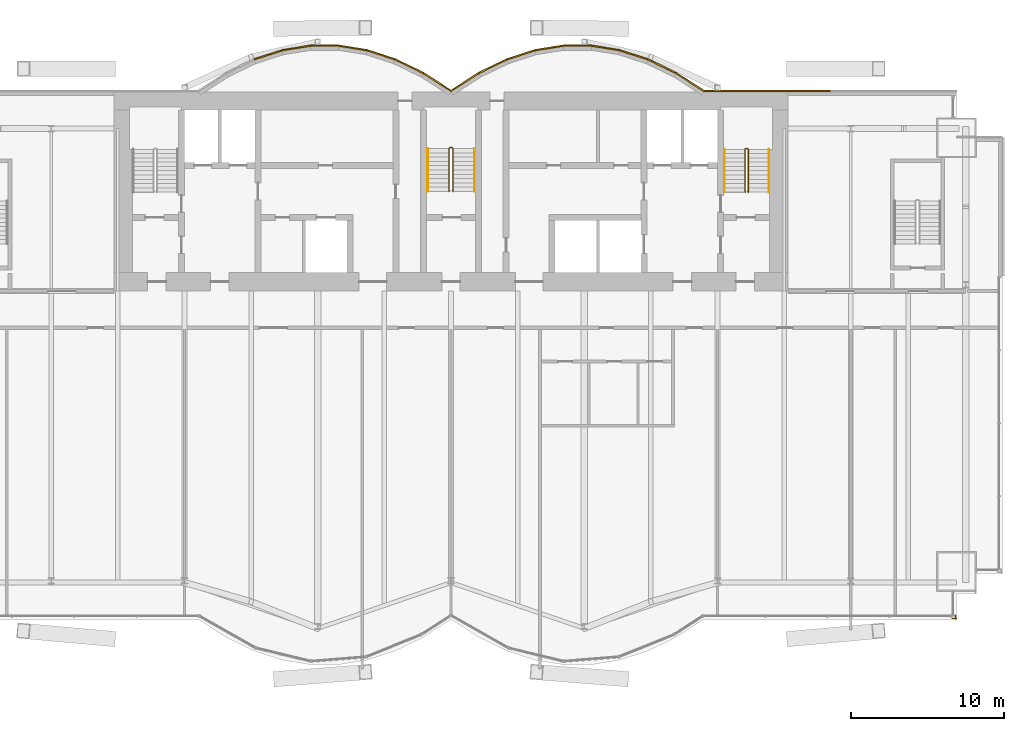
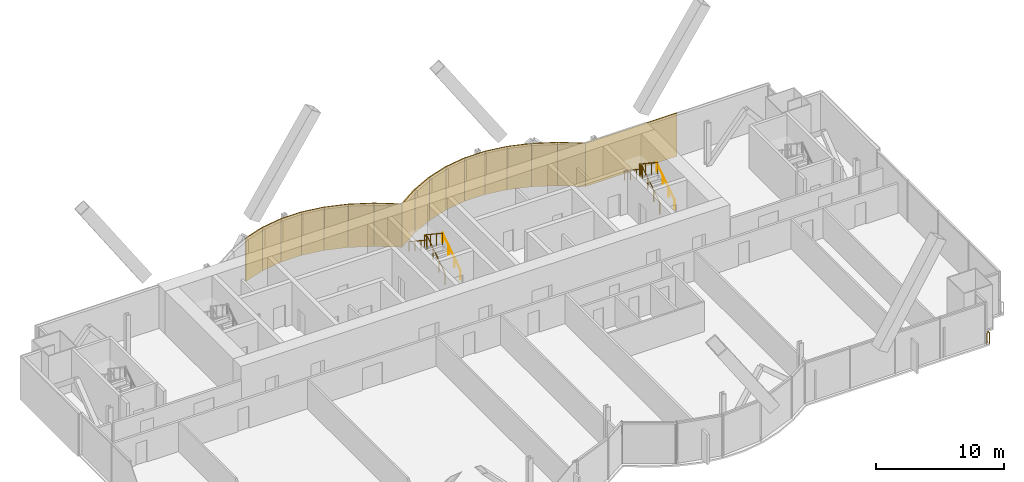
# One storey, part 21 of 22: 17 coverings, 7 railings.
"""IFC4 building model written with IfcOpenShell, lengths in metres."""

from ifc_helpers import new_model, si_unit, direction, frame, origin, origin_2d, place, context, subcontext, project, spatial, rectangle, circle, extrude, material, layer, layer_set, type_object, element, save


model = new_model("IFC4")

# Units and contexts
model_context = context("Model", 3, precision=1e-05, world=origin(), true_north=direction((0.0, 1.0)))
body_context = subcontext(model_context, "Body", "Model", "MODEL_VIEW")
ifc_project = project(units=[si_unit("LENGTHUNIT", "METRE"), si_unit("AREAUNIT", "SQUARE_METRE"), si_unit("VOLUMEUNIT", "CUBIC_METRE"), si_unit("PLANEANGLEUNIT", "RADIAN"), si_unit("MASSUNIT", "GRAM", prefix="KILO")], contexts=[model_context])

# Site, building, storey
site_placement = place(None, origin())
site = spatial("IfcSite", under=ifc_project, at=site_placement, CompositionType="ELEMENT")
building_placement = place(site_placement, origin())
building = spatial("IfcBuilding", under=site, at=building_placement, Name="Bicima Exchange Tower", CompositionType="ELEMENT")
storey_placement = place(building_placement, frame((0.0, 0.0, 169.10009765625)))
storey = spatial("IfcBuildingStorey", under=building, at=storey_placement, Name="L37", CompositionType="ELEMENT", Elevation=169.10009765625)

# Coverings
ifc_material_1 = material(Name="Bronze metal cladding")
ifc_layer_1 = layer(ifc_material_1, 0.004)
ifc_material_2 = material(Name="Ventilated cavity")
ifc_layer_2 = layer(ifc_material_2, 0.06)
ifc_material_3 = material(Name="Galvanised steel rail and mineral wool", Category="steel")
ifc_layer_3 = layer(ifc_material_3, 0.036)
ifc_layer_set = layer_set([ifc_layer_1, ifc_layer_2, ifc_layer_3], Name="Ventilated cavity")
covering_type = type_object("IfcCoveringType", Name="Bronze metal cladding panel 100", PredefinedType="CLADDING", material=ifc_layer_set)
covering_1_placement = place(storey_placement, frame((20.625, 0.050048828125, -0.150146484375), z_axis=(0.0, 0.0, 1.0), x_axis=(-1.0, 0.0, 0.0)))
element("IfcCovering", 1, at=covering_1_placement, inside=storey, type_object=covering_type, Name="Bronze cladding L37 1.2", PredefinedType="CLADDING", context=body_context, shape_type="SweptSolid", body=[
    extrude(rectangle(XDim=8.25, YDim=0.10009765625, at=origin_2d()), origin(), (0.0, 0.0, 1.0), 4.10009765625),
])
covering_2_placement = place(storey_placement, frame((15.610595703125, 0.634521484375, -0.150146484375), z_axis=(0.0, 0.0, 1.0), x_axis=(-0.839790466384, 0.542910648791, 0.0)))
element("IfcCovering", 2, at=covering_2_placement, inside=storey, type_object=covering_type, Name="Bronze cladding L37 2.1", PredefinedType="CLADDING", context=body_context, shape_type="SweptSolid", body=[
    extrude(rectangle(XDim=2.18310546875, YDim=0.10009765625, at=origin_2d()), origin(), (0.0, 0.0, 1.0), 4.10009765625),
])
covering_3_placement = place(storey_placement, frame((13.771728515625, 1.674560546875, -0.150146484375), z_axis=(0.0, 0.0, 1.0), x_axis=(-0.899818346812, 0.436264762204, 0.0)))
element("IfcCovering", 3, at=covering_3_placement, inside=storey, type_object=covering_type, Name="Bronze cladding L37 3.1", PredefinedType="CLADDING", context=body_context, shape_type="SweptSolid", body=[
    extrude(rectangle(XDim=2.03759765625, YDim=0.10009765625, at=origin_2d()), origin(), (0.0, 0.0, 1.0), 4.10009765625),
])
covering_4_placement = place(storey_placement, frame((11.931884765625, 2.41796875, -0.150146484375), z_axis=(0.0, 0.0, 1.0), x_axis=(-0.951524642381, 0.307572519808, 0.0)))
element("IfcCovering", 4, at=covering_4_placement, inside=storey, type_object=covering_type, Name="Bronze cladding L37 4.1", PredefinedType="CLADDING", context=body_context, shape_type="SweptSolid", body=[
    extrude(rectangle(XDim=1.9267578125, YDim=0.10009765625, at=origin_2d()), origin(), (0.0, 0.0, 1.0), 4.10009765625),
])
covering_5_placement = place(storey_placement, frame((10.09130859375, 2.8642578125, -0.150146484375), z_axis=(0.0, 0.0, 1.0), x_axis=(-0.987189786347, 0.159550386184, 0.0)))
element("IfcCovering", 5, at=covering_5_placement, inside=storey, type_object=covering_type, Name="Bronze cladding L37 5.1", PredefinedType="CLADDING", context=body_context, shape_type="SweptSolid", body=[
    extrude(rectangle(XDim=1.857177734375, YDim=0.10009765625, at=origin_2d()), origin(), (0.0, 0.0, 1.0), 4.10009765625),
])
covering_6_placement = place(storey_placement, frame((8.25, 3.012939453125, -0.150146484375), z_axis=(0.0, 0.0, 1.0), x_axis=(-1.0, 0.0, 0.0)))
element("IfcCovering", 6, at=covering_6_placement, inside=storey, type_object=covering_type, Name="Bronze cladding L37 6.1", PredefinedType="CLADDING", context=body_context, shape_type="SweptSolid", body=[
    extrude(rectangle(XDim=1.83349609375, YDim=0.10009765625, at=origin_2d()), origin(), (0.0, 0.0, 1.0), 4.10009765625),
])
covering_7_placement = place(storey_placement, frame((6.40869140625, 2.8642578125, -0.150146484375), z_axis=(0.0, 0.0, 1.0), x_axis=(-0.987189786347, -0.159550386184, 0.0)))
element("IfcCovering", 7, at=covering_7_placement, inside=storey, type_object=covering_type, Name="Bronze cladding L37 7.1", PredefinedType="CLADDING", context=body_context, shape_type="SweptSolid", body=[
    extrude(rectangle(XDim=1.857177734375, YDim=0.10009765625, at=origin_2d()), origin(), (0.0, 0.0, 1.0), 4.10009765625),
])
covering_8_placement = place(storey_placement, frame((4.568115234375, 2.41796875, -0.150146484375), z_axis=(0.0, 0.0, 1.0), x_axis=(-0.951524642381, -0.307572519808, 0.0)))
element("IfcCovering", 8, at=covering_8_placement, inside=storey, type_object=covering_type, Name="Bronze cladding L37 8.1", PredefinedType="CLADDING", context=body_context, shape_type="SweptSolid", body=[
    extrude(rectangle(XDim=1.9267578125, YDim=0.10009765625, at=origin_2d()), origin(), (0.0, 0.0, 1.0), 4.10009765625),
])
covering_9_placement = place(storey_placement, frame((2.728271484375, 1.674560546875, -0.150146484375), z_axis=(0.0, 0.0, 1.0), x_axis=(-0.899818346812, -0.436264762204, 0.0)))
element("IfcCovering", 9, at=covering_9_placement, inside=storey, type_object=covering_type, Name="Bronze cladding L37 9.1", PredefinedType="CLADDING", context=body_context, shape_type="SweptSolid", body=[
    extrude(rectangle(XDim=2.03759765625, YDim=0.10009765625, at=origin_2d()), origin(), (0.0, 0.0, 1.0), 4.10009765625),
])
for number, where, z_axis, x_axis, name in (
    (10, (0.889404296875, 0.634521484375, -0.150146484375), (0.0, 0.0, 1.0), (-0.839790466384, -0.542910648791, 0.0), "Bronze cladding L37 10.1"),
    (11, (-0.889404296875, 0.634521484375, -0.150146484375), (0.0, 0.0, 1.0), (-0.839790466384, 0.542910648791, 0.0), "Bronze cladding L37 11.1"),
):
    element("IfcCovering", number, at=place(storey_placement, frame(where, z_axis=z_axis, x_axis=x_axis)), inside=storey, type_object=covering_type, Name=name, PredefinedType="CLADDING", context=body_context, shape_type="SweptSolid", body=[
        extrude(rectangle(XDim=2.18310546875, YDim=0.10009765625, at=origin_2d()), origin(), (0.0, 0.0, 1.0), 4.10009765625),
    ])
covering_10_placement = place(storey_placement, frame((-2.728271484375, 1.674560546875, -0.150146484375), z_axis=(0.0, 0.0, 1.0), x_axis=(-0.899818346812, 0.436264762204, 0.0)))
element("IfcCovering", 12, at=covering_10_placement, inside=storey, type_object=covering_type, Name="Bronze cladding L37 12.1", PredefinedType="CLADDING", context=body_context, shape_type="SweptSolid", body=[
    extrude(rectangle(XDim=2.03759765625, YDim=0.10009765625, at=origin_2d()), origin(), (0.0, 0.0, 1.0), 4.10009765625),
])
covering_11_placement = place(storey_placement, frame((-4.568115234375, 2.41796875, -0.150146484375), z_axis=(0.0, 0.0, 1.0), x_axis=(-0.951524642381, 0.307572519808, 0.0)))
element("IfcCovering", 13, at=covering_11_placement, inside=storey, type_object=covering_type, Name="Bronze cladding L37 13.1", PredefinedType="CLADDING", context=body_context, shape_type="SweptSolid", body=[
    extrude(rectangle(XDim=1.9267578125, YDim=0.10009765625, at=origin_2d()), origin(), (0.0, 0.0, 1.0), 4.10009765625),
])
covering_12_placement = place(storey_placement, frame((-6.40869140625, 2.8642578125, -0.150146484375), z_axis=(0.0, 0.0, 1.0), x_axis=(-0.987189786347, 0.159550386184, 0.0)))
element("IfcCovering", 14, at=covering_12_placement, inside=storey, type_object=covering_type, Name="Bronze cladding L37 14.1", PredefinedType="CLADDING", context=body_context, shape_type="SweptSolid", body=[
    extrude(rectangle(XDim=1.857177734375, YDim=0.10009765625, at=origin_2d()), origin(), (0.0, 0.0, 1.0), 4.10009765625),
])
covering_13_placement = place(storey_placement, frame((-8.25, 3.012939453125, -0.150146484375), z_axis=(0.0, 0.0, 1.0), x_axis=(-1.0, 0.0, 0.0)))
element("IfcCovering", 15, at=covering_13_placement, inside=storey, type_object=covering_type, Name="Bronze cladding L37 15.1", PredefinedType="CLADDING", context=body_context, shape_type="SweptSolid", body=[
    extrude(rectangle(XDim=1.83349609375, YDim=0.10009765625, at=origin_2d()), origin(), (0.0, 0.0, 1.0), 4.10009765625),
])
covering_14_placement = place(storey_placement, frame((-10.09130859375, 2.8642578125, -0.150146484375), z_axis=(0.0, 0.0, 1.0), x_axis=(-0.987189786347, -0.159550386184, 0.0)))
element("IfcCovering", 16, at=covering_14_placement, inside=storey, type_object=covering_type, Name="Bronze cladding L37 16.1", PredefinedType="CLADDING", context=body_context, shape_type="SweptSolid", body=[
    extrude(rectangle(XDim=1.857177734375, YDim=0.10009765625, at=origin_2d()), origin(), (0.0, 0.0, 1.0), 4.10009765625),
])
covering_15_placement = place(storey_placement, frame((-11.931884765625, 2.41796875, -0.150146484375), z_axis=(0.0, 0.0, 1.0), x_axis=(-0.951524642381, -0.307572519808, 0.0)))
element("IfcCovering", 17, at=covering_15_placement, inside=storey, type_object=covering_type, Name="Bronze cladding L37 17.1", PredefinedType="CLADDING", context=body_context, shape_type="SweptSolid", body=[
    extrude(rectangle(XDim=1.9267578125, YDim=0.10009765625, at=origin_2d()), origin(), (0.0, 0.0, 1.0), 4.10009765625),
])

# Railings
ifc_material_4 = material(Name="Stainless steel and bonded safety glass", Category="steel")
railing_type_1 = type_object("IfcRailingType", Name="Edge guard 1100", PredefinedType="GUARDRAIL", material=ifc_material_4)
railing_1_placement = place(storey_placement, frame((32.949951171875, -34.193115234375, 0.0)))
element("IfcRailing", 18, at=railing_1_placement, inside=storey, type_object=railing_type_1, Name="Edge guard L37 188", PredefinedType="GUARDRAIL", context=body_context, shape_type="SweptSolid", body=[
    extrude(circle(Radius=0.02392578125, at=origin_2d()), frame((0.0, 0.0, 1.076171875), z_axis=(0.0, -1.0, 0.0), x_axis=(1.0, 0.0, 0.0)), (0.0, 0.0, 1.0), 0.242919921875),
    extrude(circle(Radius=0.02392578125, at=origin_2d()), frame((0.0, -0.242919921875, 1.076171875), z_axis=(0.707106781187, 0.707106781187, 0.0), x_axis=(-0.707106781187, 0.707106781187, 0.0)), (0.0, 0.0, 1.0), 0.07080078125),
    extrude(circle(Radius=0.02392578125, at=origin_2d()), frame((0.050048828125, -0.19287109375, 1.076171875), z_axis=(-1.0, 0.0, 0.0), x_axis=(0.0, -1.0, 0.0)), (0.0, 0.0, 1.0), 0.25),
    extrude(circle(Radius=0.02099609375, at=origin_2d()), origin(), (0.0, 0.0, 1.0), 1.052001953125),
    extrude(circle(Radius=0.02099609375, at=origin_2d()), frame((0.0, -0.242919921875, 0.0)), (0.0, 0.0, 1.0), 1.052001953125),
    extrude(circle(Radius=0.02099609375, at=origin_2d()), frame((0.050048828125, -0.19287109375, 0.0)), (0.0, 0.0, 1.0), 1.052001953125),
    extrude(circle(Radius=0.02099609375, at=origin_2d()), frame((-0.199951171875, -0.19287109375, 0.0)), (0.0, 0.0, 1.0), 1.052001953125),
])
ifc_material_5 = material(Name="Stainless steel", Category="steel")
railing_type_2 = type_object("IfcRailingType", Name="Stair guard 1100", PredefinedType="GUARDRAIL", material=ifc_material_5)
railing_2_placement = place(storey_placement, frame((0.125, -6.5, 0.186279296875)))
element("IfcRailing", 19, at=railing_2_placement, inside=storey, type_object=railing_type_2, Name="L37 ST-C stair guard 1", PredefinedType="GUARDRAIL", context=body_context, shape_type="SweptSolid", body=[
    extrude(circle(Radius=0.02392578125, at=origin_2d()), frame((0.0, 0.0, 1.076171875), z_axis=(0.0, 0.832485552168, 0.554046753832), x_axis=(-1.0, 0.0, 0.0)), (0.0, 0.0, 1.0), 3.363525390625),
    extrude(circle(Radius=0.02392578125, at=origin_2d()), frame((0.0, 2.800048828125, 2.939453125), z_axis=(-0.707106781187, 0.707106781187, 0.0), x_axis=(-0.707106781187, -0.707106781187, 0.0)), (0.0, 0.0, 1.0), 0.07080078125),
    extrude(circle(Radius=0.02392578125, at=origin_2d()), frame((-0.050048828125, 2.85009765625, 2.939453125), z_axis=(-1.0, 0.0, 0.0), x_axis=(0.0, -1.0, 0.0)), (0.0, 0.0, 1.0), 0.14990234375),
    extrude(circle(Radius=0.02392578125, at=origin_2d()), frame((-0.199951171875, 2.85009765625, 2.939453125), z_axis=(-0.250869701741, -0.250869701741, 0.934948546978), x_axis=(0.707106781187, -0.707106781187, 0.0)), (0.0, 0.0, 1.0), 0.199462890625),
    extrude(circle(Radius=0.02392578125, at=origin_2d()), frame((-0.25, 2.800048828125, 3.1259765625), z_axis=(0.0, -0.832485552168, 0.554046753832), x_axis=(1.0, 0.0, 0.0)), (0.0, 0.0, 1.0), 3.363525390625),
    extrude(circle(Radius=0.02099609375, at=origin_2d()), origin(), (0.0, 0.0, 1.0), 1.052001953125),
    extrude(circle(Radius=0.02099609375, at=origin_2d()), frame((0.0, 0.933349609375, 0.62109375)), (0.0, 0.0, 1.0), 1.052001953125),
    extrude(circle(Radius=0.02099609375, at=origin_2d()), frame((0.0, 1.86669921875, 1.242431640625)), (0.0, 0.0, 1.0), 1.052001953125),
    extrude(circle(Radius=0.02099609375, at=origin_2d()), frame((0.0, 2.800048828125, 1.863525390625)), (0.0, 0.0, 1.0), 1.052001953125),
    extrude(circle(Radius=0.02099609375, at=origin_2d()), frame((-0.050048828125, 2.85009765625, 1.863525390625)), (0.0, 0.0, 1.0), 1.052001953125),
    extrude(circle(Radius=0.02099609375, at=origin_2d()), frame((-0.199951171875, 2.85009765625, 1.863525390625)), (0.0, 0.0, 1.0), 1.052001953125),
    extrude(circle(Radius=0.02099609375, at=origin_2d()), frame((-0.25, 2.800048828125, 2.050048828125)), (0.0, 0.0, 1.0), 1.052001953125),
    extrude(circle(Radius=0.02099609375, at=origin_2d()), frame((-0.25, 1.86669921875, 2.671142578125)), (0.0, 0.0, 1.0), 1.052001953125),
    extrude(circle(Radius=0.02099609375, at=origin_2d()), frame((-0.25, 0.933349609375, 3.29248046875)), (0.0, 0.0, 1.0), 1.052001953125),
    extrude(circle(Radius=0.02099609375, at=origin_2d()), frame((-0.25, 0.0, 3.91357421875)), (0.0, 0.0, 1.0), 1.052001953125),
])
railing_3_placement = place(storey_placement, frame((19.39990234375, -6.550048828125, 0.186279296875)))
element("IfcRailing", 20, at=railing_3_placement, inside=storey, type_object=railing_type_2, Name="L37 ST-E stair guard 1", PredefinedType="GUARDRAIL", context=body_context, shape_type="SweptSolid", body=[
    extrude(circle(Radius=0.02392578125, at=origin_2d()), frame((0.0, 0.0, 1.076171875), z_axis=(0.0, 0.832485552168, 0.554046753832), x_axis=(-1.0, 0.0, 0.0)), (0.0, 0.0, 1.0), 3.363525390625),
    extrude(circle(Radius=0.02392578125, at=origin_2d()), frame((0.0, 2.800048828125, 2.939453125), z_axis=(-0.705375805398, 0.708833529934, 0.0), x_axis=(-0.708833529934, -0.705375805398, 0.0)), (0.0, 0.0, 1.0), 0.070556640625),
    extrude(circle(Radius=0.02392578125, at=origin_2d()), frame((-0.0498046875, 2.85009765625, 2.939453125), z_axis=(-1.0, 0.0, 0.0), x_axis=(0.0, -1.0, 0.0)), (0.0, 0.0, 1.0), 0.10009765625),
    extrude(circle(Radius=0.02392578125, at=origin_2d()), frame((-0.14990234375, 2.85009765625, 2.939453125), z_axis=(-0.250869701741, -0.250869701741, 0.934948546978), x_axis=(0.707106781187, -0.707106781187, 0.0)), (0.0, 0.0, 1.0), 0.199462890625),
    extrude(circle(Radius=0.02392578125, at=origin_2d()), frame((-0.199951171875, 2.800048828125, 3.1259765625), z_axis=(0.0, -0.832485552168, 0.554046753832), x_axis=(1.0, 0.0, 0.0)), (0.0, 0.0, 1.0), 3.363525390625),
    extrude(circle(Radius=0.02099609375, at=origin_2d()), origin(), (0.0, 0.0, 1.0), 1.052001953125),
    extrude(circle(Radius=0.02099609375, at=origin_2d()), frame((0.0, 0.933349609375, 0.62109375)), (0.0, 0.0, 1.0), 1.052001953125),
    extrude(circle(Radius=0.02099609375, at=origin_2d()), frame((0.0, 1.86669921875, 1.242431640625)), (0.0, 0.0, 1.0), 1.052001953125),
    extrude(circle(Radius=0.02099609375, at=origin_2d()), frame((0.0, 2.800048828125, 1.863525390625)), (0.0, 0.0, 1.0), 1.052001953125),
    extrude(circle(Radius=0.02099609375, at=origin_2d()), frame((-0.0498046875, 2.85009765625, 1.863525390625)), (0.0, 0.0, 1.0), 1.052001953125),
    extrude(circle(Radius=0.02099609375, at=origin_2d()), frame((-0.14990234375, 2.85009765625, 1.863525390625)), (0.0, 0.0, 1.0), 1.052001953125),
    extrude(circle(Radius=0.02099609375, at=origin_2d()), frame((-0.199951171875, 2.800048828125, 2.050048828125)), (0.0, 0.0, 1.0), 1.052001953125),
    extrude(circle(Radius=0.02099609375, at=origin_2d()), frame((-0.199951171875, 1.86669921875, 2.671142578125)), (0.0, 0.0, 1.0), 1.052001953125),
    extrude(circle(Radius=0.02099609375, at=origin_2d()), frame((-0.199951171875, 0.933349609375, 3.29248046875)), (0.0, 0.0, 1.0), 1.052001953125),
    extrude(circle(Radius=0.02099609375, at=origin_2d()), frame((-0.199951171875, 0.0, 3.91357421875)), (0.0, 0.0, 1.0), 1.052001953125),
])
railing_type_3 = type_object("IfcRailingType", Name="Stair handrail 900", PredefinedType="HANDRAIL", material=ifc_material_5)
railing_4_placement = place(storey_placement, frame((1.52490234375, -6.5, 0.186279296875)))
element("IfcRailing", 21, at=railing_4_placement, inside=storey, type_object=railing_type_3, Name="L37 ST-C stair handrail 1", PredefinedType="HANDRAIL", context=body_context, shape_type="SweptSolid", body=[
    extrude(circle(Radius=0.02392578125, at=origin_2d()), frame((0.0, 0.0, 0.8759765625), z_axis=(0.0, 0.832485552168, 0.554046753832), x_axis=(-1.0, 0.0, 0.0)), (0.0, 0.0, 1.0), 3.363525390625),
    extrude(circle(Radius=0.02099609375, at=origin_2d()), origin(), (0.0, 0.0, 1.0), 0.851806640625),
    extrude(circle(Radius=0.02099609375, at=origin_2d()), frame((0.0, 0.933349609375, 0.62109375)), (0.0, 0.0, 1.0), 0.851806640625),
    extrude(circle(Radius=0.02099609375, at=origin_2d()), frame((0.0, 1.86669921875, 1.242431640625)), (0.0, 0.0, 1.0), 0.851806640625),
    extrude(circle(Radius=0.02099609375, at=origin_2d()), frame((0.0, 2.800048828125, 1.863525390625)), (0.0, 0.0, 1.0), 0.851806640625),
])
railing_5_placement = place(storey_placement, frame((-1.52490234375, -3.699951171875, 2.276611328125)))
element("IfcRailing", 22, at=railing_5_placement, inside=storey, type_object=railing_type_3, Name="L37 ST-C stair handrail 2", PredefinedType="HANDRAIL", context=body_context, shape_type="SweptSolid", body=[
    extrude(circle(Radius=0.02392578125, at=origin_2d()), frame((0.0, 0.0, 0.8759765625), z_axis=(0.0, -0.832452072856, 0.554097055034), x_axis=(1.0, 0.0, 0.0)), (0.0, 0.0, 1.0), 3.363525390625),
    extrude(circle(Radius=0.02099609375, at=origin_2d()), origin(), (0.0, 0.0, 1.0), 0.851806640625),
    extrude(circle(Radius=0.02099609375, at=origin_2d()), frame((0.0, -0.933349609375, 0.621337890625)), (0.0, 0.0, 1.0), 0.851806640625),
    extrude(circle(Radius=0.02099609375, at=origin_2d()), frame((0.0, -1.86669921875, 1.242431640625)), (0.0, 0.0, 1.0), 0.851806640625),
    extrude(circle(Radius=0.02099609375, at=origin_2d()), frame((0.0, -2.800048828125, 1.86376953125)), (0.0, 0.0, 1.0), 0.851806640625),
])
railing_6_placement = place(storey_placement, frame((20.75, -6.550048828125, 0.186279296875)))
element("IfcRailing", 23, at=railing_6_placement, inside=storey, type_object=railing_type_3, Name="L37 ST-E stair handrail 1", PredefinedType="HANDRAIL", context=body_context, shape_type="SweptSolid", body=[
    extrude(circle(Radius=0.02392578125, at=origin_2d()), frame((0.0, 0.0, 0.8759765625), z_axis=(0.0, 0.832485552168, 0.554046753832), x_axis=(-1.0, 0.0, 0.0)), (0.0, 0.0, 1.0), 3.363525390625),
    extrude(circle(Radius=0.02099609375, at=origin_2d()), origin(), (0.0, 0.0, 1.0), 0.851806640625),
    extrude(circle(Radius=0.02099609375, at=origin_2d()), frame((0.0, 0.933349609375, 0.62109375)), (0.0, 0.0, 1.0), 0.851806640625),
    extrude(circle(Radius=0.02099609375, at=origin_2d()), frame((0.0, 1.86669921875, 1.242431640625)), (0.0, 0.0, 1.0), 0.851806640625),
    extrude(circle(Radius=0.02099609375, at=origin_2d()), frame((0.0, 2.800048828125, 1.863525390625)), (0.0, 0.0, 1.0), 0.851806640625),
])
railing_7_placement = place(storey_placement, frame((17.85009765625, -3.75, 2.276611328125)))
element("IfcRailing", 24, at=railing_7_placement, inside=storey, type_object=railing_type_3, Name="L37 ST-E stair handrail 2", PredefinedType="HANDRAIL", context=body_context, shape_type="SweptSolid", body=[
    extrude(circle(Radius=0.02392578125, at=origin_2d()), frame((0.0, 0.0, 0.8759765625), z_axis=(0.0, -0.832452072856, 0.554097055034), x_axis=(1.0, 0.0, 0.0)), (0.0, 0.0, 1.0), 3.363525390625),
    extrude(circle(Radius=0.02099609375, at=origin_2d()), origin(), (0.0, 0.0, 1.0), 0.851806640625),
    extrude(circle(Radius=0.02099609375, at=origin_2d()), frame((0.0, -0.933349609375, 0.621337890625)), (0.0, 0.0, 1.0), 0.851806640625),
    extrude(circle(Radius=0.02099609375, at=origin_2d()), frame((0.0, -1.86669921875, 1.242431640625)), (0.0, 0.0, 1.0), 0.851806640625),
    extrude(circle(Radius=0.02099609375, at=origin_2d()), frame((0.0, -2.800048828125, 1.86376953125)), (0.0, 0.0, 1.0), 0.851806640625),
])

save(model, "model.ifc")
